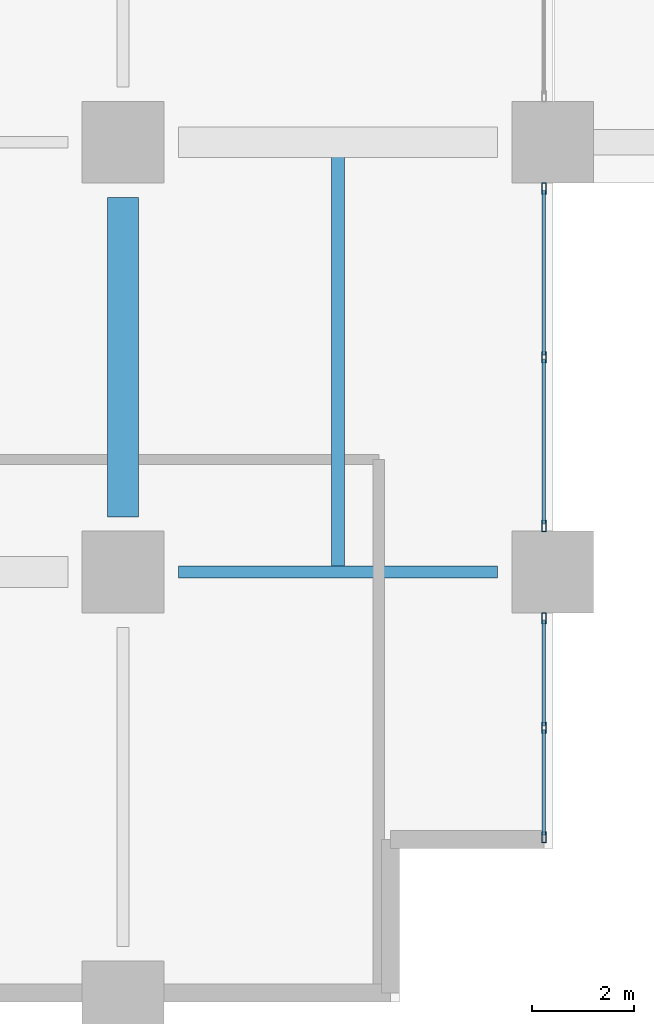
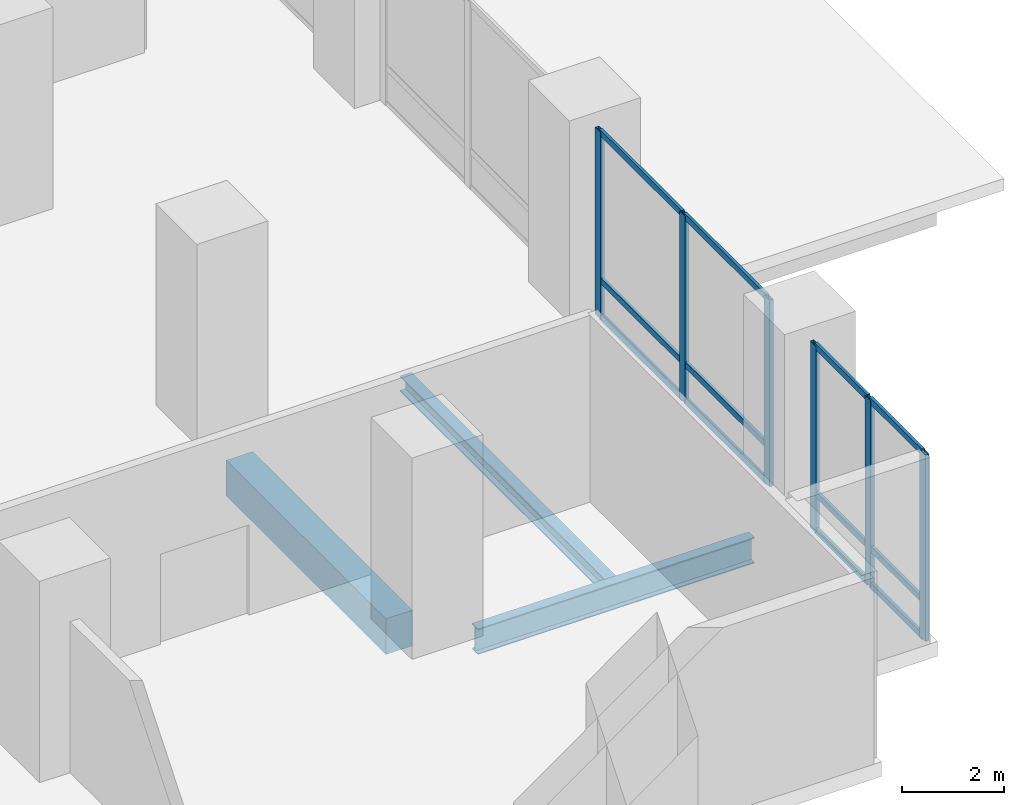
# One storey, part 3 of 22: 18 members, 3 beams, 2 elements without a shape of their own.
"""IFC4 building model written with IfcOpenShell, lengths in metres."""

from ifc_helpers import new_model, si_unit, direction, frame, origin, origin_2d, place, context, subcontext, project, spatial, rectangle, hollow_rectangle, i_section, extrude, material, layer, layer_set, material_profile, profile_set, type_object, element, aggregate, save


model = new_model("IFC4")

# Units and contexts
model_context = context("Model", 3, precision=1e-05, world=origin(), true_north=direction((0.0, 1.0)))
body_context = subcontext(model_context, "Body", "Model", "MODEL_VIEW")
ifc_project = project(units=[si_unit("LENGTHUNIT", "METRE"), si_unit("AREAUNIT", "SQUARE_METRE"), si_unit("VOLUMEUNIT", "CUBIC_METRE"), si_unit("PLANEANGLEUNIT", "RADIAN"), si_unit("MASSUNIT", "GRAM", prefix="KILO")], contexts=[model_context])

# Site, building, storey
site_placement = place(None, origin())
site = spatial("IfcSite", under=ifc_project, at=site_placement, CompositionType="ELEMENT")
building_placement = place(site_placement, origin())
building = spatial("IfcBuilding", under=site, at=building_placement, Name="Koriwani Terraces Tower", CompositionType="ELEMENT")
storey_placement = place(building_placement, frame((0.0, 0.0, 6.0)))
storey = spatial("IfcBuildingStorey", under=building, at=storey_placement, Name="L01", CompositionType="ELEMENT", Elevation=6.0)

# Beam
ifc_material_1 = material(Name="Concrete C60/75", Category="concrete")
ifc_material_profile_1 = material_profile(ifc_material_1, rectangle(XDim=0.60009765625, YDim=0.85009765625, at=origin_2d()), Name="Concrete C60/75", Category="LoadBearing")
ifc_profile_set_1 = profile_set([ifc_material_profile_1], Name="Concrete C60/75")
beam_type_1 = type_object("IfcBeamType", Name="BEAM_RC_GRID_600X850", PredefinedType="BEAM", material=ifc_profile_set_1)
beam_1_placement = place(storey_placement, frame((84.0, 9.47998046875, -0.77490234375), z_axis=(0.0, 1.0, 0.0), x_axis=(-1.0, 0.0, 0.0)))
element("IfcBeam", 1, at=beam_1_placement, inside=storey, type_object=beam_type_1, Name="L01 Grid Beam 11 (8.4-16.8m)", PredefinedType="BEAM", context=body_context, shape_type="SweptSolid", body=[
    extrude(rectangle(XDim=0.60009765625, YDim=0.85009765625, at=origin_2d()), origin(), (0.0, 0.0, 1.0), 6.239990234375),
])

# Curtain wall, members
ifc_material_2 = material(Name="Anodised Bronze Aluminium", Category="aluminium")
ifc_layer = layer(ifc_material_2, 0.199951171875, Name="Anodised Bronze Aluminium")
ifc_layer_set = layer_set([ifc_layer], Name="Anodised Bronze Aluminium")
curtain_wall_type = type_object("IfcCurtainWallType", Name="CW_PODIUM_GALLERIA", PredefinedType="NOTDEFINED", material=ifc_layer_set)
curtain_wall_1_placement = place(storey_placement, origin())
curtain_wall_1 = element("IfcCurtainWall", 2, at=curtain_wall_1_placement, inside=storey, type_object=curtain_wall_type, Name="L01 Unitised Curtain Wall (E_TIP) Bay 4", PredefinedType="NOTDEFINED")
ifc_material_profile_2 = material_profile(ifc_material_2, hollow_rectangle(XDim=0.0849609375, YDim=0.219970703125, WallThickness=0.008056640625, at=origin_2d()), Name="Anodised Bronze Aluminium", Category="LoadBearing")
ifc_profile_set_2 = profile_set([ifc_material_profile_2], Name="Anodised Bronze Aluminium")
member_type_1 = type_object("IfcMemberType", Name="CW_MULLION_220X85", PredefinedType="MULLION", material=ifc_profile_set_2)
member_1_placement = place(storey_placement, frame((92.22509765625, 15.8974609375, 0.0), z_axis=(0.0, 0.0, 1.0), x_axis=(1.0, 0.0, 0.0)))
member_1 = element("IfcMember", 3, at=member_1_placement, type_object=member_type_1, Name="CW-POD mullion 1", PredefinedType="MULLION", context=body_context, shape_type="SweptSolid", body=[
    extrude(hollow_rectangle(XDim=0.0849609375, YDim=0.219970703125, WallThickness=0.008056640625, at=origin_2d()), origin(), (0.0, 0.0, 1.0), 4.449951171875),
])
member_2_placement = place(storey_placement, frame((92.22509765625, 12.60009765625, 0.0), z_axis=(0.0, 0.0, 1.0), x_axis=(1.0, 0.0, 0.0)))
member_2 = element("IfcMember", 4, at=member_2_placement, type_object=member_type_1, Name="CW-POD mullion 2", PredefinedType="MULLION", context=body_context, shape_type="SweptSolid", body=[
    extrude(hollow_rectangle(XDim=0.0849609375, YDim=0.219970703125, WallThickness=0.008056640625, at=origin_2d()), origin(), (0.0, 0.0, 1.0), 4.449951171875),
])
member_3_placement = place(storey_placement, frame((92.22509765625, 9.302490234375, 0.0), z_axis=(0.0, 0.0, 1.0), x_axis=(1.0, 0.0, 0.0)))
member_3 = element("IfcMember", 5, at=member_3_placement, type_object=member_type_1, Name="CW-POD mullion 3", PredefinedType="MULLION", context=body_context, shape_type="SweptSolid", body=[
    extrude(hollow_rectangle(XDim=0.0849609375, YDim=0.219970703125, WallThickness=0.008056640625, at=origin_2d()), origin(), (0.0, 0.0, 1.0), 4.449951171875),
])

curtain_wall_2_placement = place(storey_placement, origin())
curtain_wall_2 = element("IfcCurtainWall", 6, at=curtain_wall_2_placement, inside=storey, type_object=curtain_wall_type, Name="L01 Unitised Curtain Wall (E_TIP) Bay 5", PredefinedType="NOTDEFINED")
member_4_placement = place(storey_placement, frame((92.22509765625, 7.49755859375, 0.0), z_axis=(0.0, 0.0, 1.0), x_axis=(1.0, 0.0, 0.0)))
member_4 = element("IfcMember", 7, at=member_4_placement, type_object=member_type_1, Name="CW-POD mullion 1", PredefinedType="MULLION", context=body_context, shape_type="SweptSolid", body=[
    extrude(hollow_rectangle(XDim=0.0849609375, YDim=0.219970703125, WallThickness=0.008056640625, at=origin_2d()), origin(), (0.0, 0.0, 1.0), 4.449951171875),
])
member_5_placement = place(storey_placement, frame((92.22509765625, 5.357421875, 0.0), z_axis=(0.0, 0.0, 1.0), x_axis=(1.0, 0.0, 0.0)))
member_5 = element("IfcMember", 8, at=member_5_placement, type_object=member_type_1, Name="CW-POD mullion 2", PredefinedType="MULLION", context=body_context, shape_type="SweptSolid", body=[
    extrude(hollow_rectangle(XDim=0.0849609375, YDim=0.219970703125, WallThickness=0.008056640625, at=origin_2d()), origin(), (0.0, 0.0, 1.0), 4.449951171875),
])
member_6_placement = place(storey_placement, frame((92.22509765625, 3.217529296875, 0.0), z_axis=(0.0, 0.0, 1.0), x_axis=(1.0, 0.0, 0.0)))
member_6 = element("IfcMember", 9, at=member_6_placement, type_object=member_type_1, Name="CW-POD mullion 3", PredefinedType="MULLION", context=body_context, shape_type="SweptSolid", body=[
    extrude(hollow_rectangle(XDim=0.0849609375, YDim=0.219970703125, WallThickness=0.008056640625, at=origin_2d()), origin(), (0.0, 0.0, 1.0), 4.449951171875),
])

# Member
ifc_material_profile_3 = material_profile(ifc_material_2, hollow_rectangle(XDim=0.06494140625, YDim=0.14990234375, WallThickness=0.0048828125, at=origin_2d()), Name="Anodised Bronze Aluminium", Category="LoadBearing")
ifc_profile_set_3 = profile_set([ifc_material_profile_3], Name="Anodised Bronze Aluminium")
member_type_2 = type_object("IfcMemberType", Name="CW_TRANSOM_150X65", PredefinedType="USERDEFINED", material=ifc_profile_set_3)
member_7_placement = place(storey_placement, frame((92.22509765625, 15.85498046875, 0.032470703125), z_axis=(0.0, -1.0, 0.0), x_axis=(1.0, 0.0, 0.0)))
member_7 = element("IfcMember", 10, at=member_7_placement, type_object=member_type_2, Name="CW-POD transom 1.1", ObjectType="TRANSOM", PredefinedType="USERDEFINED", context=body_context, shape_type="SweptSolid", body=[
    extrude(hollow_rectangle(XDim=0.06494140625, YDim=0.14990234375, WallThickness=0.0048828125, at=origin_2d()), origin(), (0.0, 0.0, 1.0), 3.21240234375),
])

member_8_placement = place(storey_placement, frame((92.22509765625, 15.85498046875, 0.89990234375), z_axis=(0.0, -1.0, 0.0), x_axis=(1.0, 0.0, 0.0)))
member_8 = element("IfcMember", 11, at=member_8_placement, type_object=member_type_2, Name="CW-POD transom 1.2", ObjectType="TRANSOM", PredefinedType="USERDEFINED", context=body_context, shape_type="SweptSolid", body=[
    extrude(hollow_rectangle(XDim=0.06494140625, YDim=0.14990234375, WallThickness=0.0048828125, at=origin_2d()), origin(), (0.0, 0.0, 1.0), 3.21240234375),
])

member_9_placement = place(storey_placement, frame((92.22509765625, 15.85498046875, 4.41748046875), z_axis=(0.0, -1.0, 0.0), x_axis=(1.0, 0.0, 0.0)))
member_9 = element("IfcMember", 12, at=member_9_placement, type_object=member_type_2, Name="CW-POD transom 1.3", ObjectType="TRANSOM", PredefinedType="USERDEFINED", context=body_context, shape_type="SweptSolid", body=[
    extrude(hollow_rectangle(XDim=0.06494140625, YDim=0.14990234375, WallThickness=0.0048828125, at=origin_2d()), origin(), (0.0, 0.0, 1.0), 3.21240234375),
])

member_10_placement = place(storey_placement, frame((92.22509765625, 12.5576171875, 0.032470703125), z_axis=(0.0, -1.0, 0.0), x_axis=(1.0, 0.0, 0.0)))
member_10 = element("IfcMember", 13, at=member_10_placement, type_object=member_type_2, Name="CW-POD transom 2.1", ObjectType="TRANSOM", PredefinedType="USERDEFINED", context=body_context, shape_type="SweptSolid", body=[
    extrude(hollow_rectangle(XDim=0.06494140625, YDim=0.14990234375, WallThickness=0.0048828125, at=origin_2d()), origin(), (0.0, 0.0, 1.0), 3.212646484375),
])

member_11_placement = place(storey_placement, frame((92.22509765625, 12.5576171875, 0.89990234375), z_axis=(0.0, -1.0, 0.0), x_axis=(1.0, 0.0, 0.0)))
member_11 = element("IfcMember", 14, at=member_11_placement, type_object=member_type_2, Name="CW-POD transom 2.2", ObjectType="TRANSOM", PredefinedType="USERDEFINED", context=body_context, shape_type="SweptSolid", body=[
    extrude(hollow_rectangle(XDim=0.06494140625, YDim=0.14990234375, WallThickness=0.0048828125, at=origin_2d()), origin(), (0.0, 0.0, 1.0), 3.212646484375),
])

member_12_placement = place(storey_placement, frame((92.22509765625, 12.5576171875, 4.41748046875), z_axis=(0.0, -1.0, 0.0), x_axis=(1.0, 0.0, 0.0)))
member_12 = element("IfcMember", 15, at=member_12_placement, type_object=member_type_2, Name="CW-POD transom 2.3", ObjectType="TRANSOM", PredefinedType="USERDEFINED", context=body_context, shape_type="SweptSolid", body=[
    extrude(hollow_rectangle(XDim=0.06494140625, YDim=0.14990234375, WallThickness=0.0048828125, at=origin_2d()), origin(), (0.0, 0.0, 1.0), 3.212646484375),
])

aggregate(curtain_wall_1, [member_1, member_2, member_3, member_7, member_8, member_9, member_10, member_11, member_12])

member_13_placement = place(storey_placement, frame((92.22509765625, 7.455078125, 0.032470703125), z_axis=(0.0, -1.0, 0.0), x_axis=(1.0, 0.0, 0.0)))
member_13 = element("IfcMember", 16, at=member_13_placement, type_object=member_type_2, Name="CW-POD transom 1.1", ObjectType="TRANSOM", PredefinedType="USERDEFINED", context=body_context, shape_type="SweptSolid", body=[
    extrude(hollow_rectangle(XDim=0.06494140625, YDim=0.14990234375, WallThickness=0.0048828125, at=origin_2d()), origin(), (0.0, 0.0, 1.0), 2.05517578125),
])

member_14_placement = place(storey_placement, frame((92.22509765625, 7.455078125, 0.89990234375), z_axis=(0.0, -1.0, 0.0), x_axis=(1.0, 0.0, 0.0)))
member_14 = element("IfcMember", 17, at=member_14_placement, type_object=member_type_2, Name="CW-POD transom 1.2", ObjectType="TRANSOM", PredefinedType="USERDEFINED", context=body_context, shape_type="SweptSolid", body=[
    extrude(hollow_rectangle(XDim=0.06494140625, YDim=0.14990234375, WallThickness=0.0048828125, at=origin_2d()), origin(), (0.0, 0.0, 1.0), 2.05517578125),
])

member_15_placement = place(storey_placement, frame((92.22509765625, 7.455078125, 4.41748046875), z_axis=(0.0, -1.0, 0.0), x_axis=(1.0, 0.0, 0.0)))
member_15 = element("IfcMember", 18, at=member_15_placement, type_object=member_type_2, Name="CW-POD transom 1.3", ObjectType="TRANSOM", PredefinedType="USERDEFINED", context=body_context, shape_type="SweptSolid", body=[
    extrude(hollow_rectangle(XDim=0.06494140625, YDim=0.14990234375, WallThickness=0.0048828125, at=origin_2d()), origin(), (0.0, 0.0, 1.0), 2.05517578125),
])

member_16_placement = place(storey_placement, frame((92.22509765625, 5.31494140625, 0.032470703125), z_axis=(0.0, -1.0, 0.0), x_axis=(1.0, 0.0, 0.0)))
member_16 = element("IfcMember", 19, at=member_16_placement, type_object=member_type_2, Name="CW-POD transom 2.1", ObjectType="TRANSOM", PredefinedType="USERDEFINED", context=body_context, shape_type="SweptSolid", body=[
    extrude(hollow_rectangle(XDim=0.06494140625, YDim=0.14990234375, WallThickness=0.0048828125, at=origin_2d()), origin(), (0.0, 0.0, 1.0), 2.054931640625),
])

member_17_placement = place(storey_placement, frame((92.22509765625, 5.31494140625, 0.89990234375), z_axis=(0.0, -1.0, 0.0), x_axis=(1.0, 0.0, 0.0)))
member_17 = element("IfcMember", 20, at=member_17_placement, type_object=member_type_2, Name="CW-POD transom 2.2", ObjectType="TRANSOM", PredefinedType="USERDEFINED", context=body_context, shape_type="SweptSolid", body=[
    extrude(hollow_rectangle(XDim=0.06494140625, YDim=0.14990234375, WallThickness=0.0048828125, at=origin_2d()), origin(), (0.0, 0.0, 1.0), 2.054931640625),
])

member_18_placement = place(storey_placement, frame((92.22509765625, 5.31494140625, 4.41748046875), z_axis=(0.0, -1.0, 0.0), x_axis=(1.0, 0.0, 0.0)))
member_18 = element("IfcMember", 21, at=member_18_placement, type_object=member_type_2, Name="CW-POD transom 2.3", ObjectType="TRANSOM", PredefinedType="USERDEFINED", context=body_context, shape_type="SweptSolid", body=[
    extrude(hollow_rectangle(XDim=0.06494140625, YDim=0.14990234375, WallThickness=0.0048828125, at=origin_2d()), origin(), (0.0, 0.0, 1.0), 2.054931640625),
])

aggregate(curtain_wall_2, [member_4, member_5, member_6, member_13, member_14, member_15, member_16, member_17, member_18])

# Beams
ifc_material_3 = material(Name="Steel ASTM A572 Grade 50", Category="steel")
ifc_material_profile_4 = material_profile(ifc_material_3, i_section(OverallWidth=0.257080078125, OverallDepth=0.363037109375, WebThickness=0.012939453125, FlangeThickness=0.021728515625, at=origin_2d()), Name="Steel ASTM A572 Grade 50", Category="LoadBearing")
ifc_profile_set_4 = profile_set([ifc_material_profile_4], Name="Steel ASTM A572 Grade 50")
beam_type_2 = type_object("IfcBeamType", Name="STEEL_BEAM_W360X122", PredefinedType="JOIST", material=ifc_profile_set_4)
beam_2_placement = place(storey_placement, frame((88.199951171875, 8.50439453125, -0.531494140625), z_axis=(0.0, 1.0, 0.0), x_axis=(-1.0, 0.0, 0.0)))
element("IfcBeam", 22, at=beam_2_placement, inside=storey, type_object=beam_type_2, Name="L01 Secondary Steel Floor Joist X=88.2m", PredefinedType="JOIST", context=body_context, shape_type="SweptSolid", body=[
    extrude(i_section(OverallWidth=0.257080078125, OverallDepth=0.363037109375, WebThickness=0.012939453125, FlangeThickness=0.021728515625, at=origin_2d()), origin(), (0.0, 0.0, 1.0), 8.005615234375),
])
ifc_material_profile_5 = material_profile(ifc_material_3, i_section(OverallWidth=0.22900390625, OverallDepth=0.611083984375, WebThickness=0.0126953125, FlangeThickness=0.022216796875, at=origin_2d()), Name="Steel ASTM A572 Grade 50", Category="LoadBearing")
ifc_profile_set_5 = profile_set([ifc_material_profile_5], Name="Steel ASTM A572 Grade 50")
beam_type_3 = type_object("IfcBeamType", Name="STEEL_BEAM_W610X155", PredefinedType="BEAM", material=ifc_profile_set_5)
beam_3_placement = place(storey_placement, frame((85.080078125, 8.39990234375, -0.655517578125), z_axis=(1.0, 0.0, 0.0), x_axis=(0.0, 1.0, 0.0)))
element("IfcBeam", 23, at=beam_3_placement, inside=storey, type_object=beam_type_3, Name="L01 Grid Beam B (84.0-92.4m)", PredefinedType="BEAM", context=body_context, shape_type="SweptSolid", body=[
    extrude(i_section(OverallWidth=0.22900390625, OverallDepth=0.611083984375, WebThickness=0.0126953125, FlangeThickness=0.022216796875, at=origin_2d()), origin(), (0.0, 0.0, 1.0), 6.239990234375),
])

save(model, "model.ifc")
